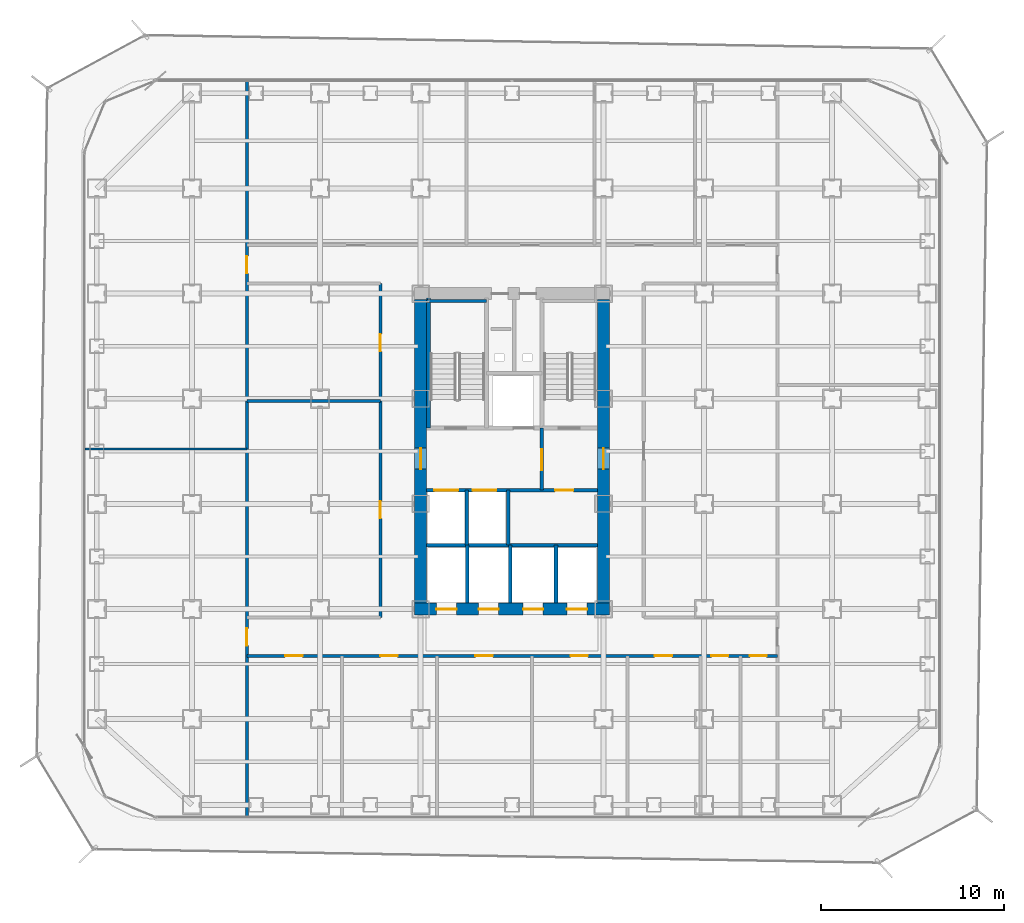
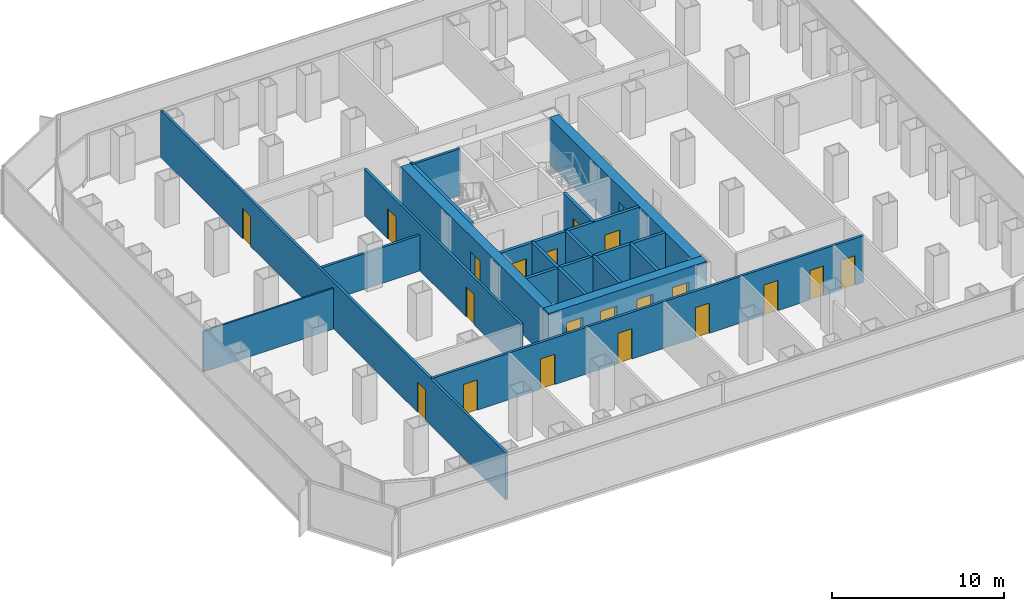
# One storey, part 17 of 22: 21 doors, 18 walls, 21 openings.
"""IFC4 building model written with IfcOpenShell, lengths in metres."""

from ifc_helpers import new_model, si_unit, direction, frame, frame_2d, origin, place, context, subcontext, project, spatial, rectangle, extrude, material, layer, layer_set, type_object, element, fill, save


model = new_model("IFC4")

# Units and contexts
model_context = context("Model", 3, precision=1e-05, world=origin(), true_north=direction((0.0, 1.0)))
body_context = subcontext(model_context, "Body", "Model", "MODEL_VIEW")
ifc_project = project(units=[si_unit("LENGTHUNIT", "METRE"), si_unit("AREAUNIT", "SQUARE_METRE"), si_unit("VOLUMEUNIT", "CUBIC_METRE"), si_unit("PLANEANGLEUNIT", "RADIAN"), si_unit("MASSUNIT", "GRAM", prefix="KILO")], contexts=[model_context])

# Site, building, storey
site_placement = place(None, origin())
site = spatial("IfcSite", under=ifc_project, at=site_placement, CompositionType="ELEMENT")
building_placement = place(site_placement, origin())
building = spatial("IfcBuilding", under=site, at=building_placement, Name="Kolveth Station Tower", CompositionType="ELEMENT")
storey_placement = place(building_placement, frame((0.0, 0.0, 54.89990234375)))
storey = spatial("IfcBuildingStorey", under=building, at=storey_placement, Name="L14", CompositionType="ELEMENT", Elevation=54.89990234375)

# Wall, openings, doors
ifc_material_1 = material(Name="Concrete C60/75", Category="concrete")
ifc_layer_1 = layer(ifc_material_1, 0.64990234375)
ifc_layer_set_1 = layer_set([ifc_layer_1], Name="Concrete C60/75")
wall_type_1 = type_object("IfcWallType", Name="Wall_CW-650", PredefinedType="SHEAR", material=ifc_layer_set_1)
wall_1_placement = place(storey_placement, frame((18.175048828125, 11.5, 0.0), z_axis=(0.0, 0.0, 1.0), x_axis=(1.0, 0.0, 0.0)))
wall_1 = element("IfcWall", 1, at=wall_1_placement, inside=storey, type_object=wall_type_1, Name="L14 Core RC Shear Wall S", PredefinedType="SHEAR", context=body_context, shape_type="SweptSolid", body=[
    extrude(rectangle(XDim=10.64990234375, YDim=0.64990234375, at=frame_2d((5.324951171875, 0.0))), origin(), (0.0, 0.0, 1.0), 3.320068359375),
])
opening_1_placement = place(wall_1_placement, frame((1.195068359375, 0.0, 0.0)))
opening_1 = element("IfcOpeningElement", 2, at=opening_1_placement, cuts=wall_1, Name="Opening LD1", PredefinedType="OPENING", context=body_context, shape_type="SweptSolid", body=[
    extrude(rectangle(XDim=1.10009765625, YDim=2.25, at=frame_2d((0.550048828125, 1.125))), frame((0.0, 0.3349609375, 0.0), z_axis=(0.0, -1.0, 0.0), x_axis=(1.0, 0.0, 0.0)), (0.0, 0.0, 1.0), 0.669921875),
])
opening_2_placement = place(wall_1_placement, frame((3.4951171875, 0.0, 0.0)))
opening_2 = element("IfcOpeningElement", 3, at=opening_2_placement, cuts=wall_1, Name="Opening LD1", PredefinedType="OPENING", context=body_context, shape_type="SweptSolid", body=[
    extrude(rectangle(XDim=1.10009765625, YDim=2.25, at=frame_2d((0.550048828125, 1.125))), frame((0.0, 0.3349609375, 0.0), z_axis=(0.0, -1.0, 0.0), x_axis=(1.0, 0.0, 0.0)), (0.0, 0.0, 1.0), 0.669921875),
])
opening_3_placement = place(wall_1_placement, frame((5.925048828125, 0.0, 0.0)))
opening_3 = element("IfcOpeningElement", 4, at=opening_3_placement, cuts=wall_1, Name="Opening LD1", PredefinedType="OPENING", context=body_context, shape_type="SweptSolid", body=[
    extrude(rectangle(XDim=1.10009765625, YDim=2.25, at=frame_2d((0.550048828125, 1.125))), frame((0.0, 0.3349609375, 0.0), z_axis=(0.0, -1.0, 0.0), x_axis=(1.0, 0.0, 0.0)), (0.0, 0.0, 1.0), 0.669921875),
])
opening_4_placement = place(wall_1_placement, frame((8.324951171875, 0.0, 0.0)))
opening_4 = element("IfcOpeningElement", 5, at=opening_4_placement, cuts=wall_1, Name="Opening LD1", PredefinedType="OPENING", context=body_context, shape_type="SweptSolid", body=[
    extrude(rectangle(XDim=1.10009765625, YDim=2.25, at=frame_2d((0.550048828125, 1.125))), frame((0.0, 0.3349609375, 0.0), z_axis=(0.0, -1.0, 0.0), x_axis=(1.0, 0.0, 0.0)), (0.0, 0.0, 1.0), 0.669921875),
])
ifc_material_2 = material(Name="Brushed stainless steel sliding landing doors", Category="steel")
door_type_1 = type_object("IfcDoorType", Name="Door_LD1", OperationType="NOTDEFINED", PredefinedType="DOOR", material=ifc_material_2)
door_1_placement = place(opening_1_placement, frame((1.10009765625, 0.0, 0.0), z_axis=(0.0, 0.0, 1.0), x_axis=(-1.0, 0.0, 0.0)))
door_1 = element("IfcDoor", 6, at=door_1_placement, inside=storey, type_object=door_type_1, Name="L14 Lift PL1 Landing Door", OperationType="DOUBLE_DOOR_SLIDING", OverallHeight=2.25, OverallWidth=1.10009765625, PredefinedType="DOOR", context=body_context, shape_type="SweptSolid", body=[
    extrude(rectangle(XDim=1.10009765625, YDim=2.25, at=frame_2d((0.550048828125, 1.125))), frame((0.0, 0.02490234375, 0.0), z_axis=(0.0, -1.0, 0.0), x_axis=(1.0, 0.0, 0.0)), (0.0, 0.0, 1.0), 0.050048828125),
])
fill(opening_1, door_1)
door_2_placement = place(opening_2_placement, frame((1.10009765625, 0.0, 0.0), z_axis=(0.0, 0.0, 1.0), x_axis=(-1.0, 0.0, 0.0)))
door_2 = element("IfcDoor", 7, at=door_2_placement, inside=storey, type_object=door_type_1, Name="L14 Lift PL2 Landing Door", OperationType="DOUBLE_DOOR_SLIDING", OverallHeight=2.25, OverallWidth=1.10009765625, PredefinedType="DOOR", context=body_context, shape_type="SweptSolid", body=[
    extrude(rectangle(XDim=1.10009765625, YDim=2.25, at=frame_2d((0.550048828125, 1.125))), frame((0.0, 0.02490234375, 0.0), z_axis=(0.0, -1.0, 0.0), x_axis=(1.0, 0.0, 0.0)), (0.0, 0.0, 1.0), 0.050048828125),
])
fill(opening_2, door_2)
door_3_placement = place(opening_3_placement, frame((1.10009765625, 0.0, 0.0), z_axis=(0.0, 0.0, 1.0), x_axis=(-1.0, 0.0, 0.0)))
door_3 = element("IfcDoor", 8, at=door_3_placement, inside=storey, type_object=door_type_1, Name="L14 Lift PM1 Landing Door", OperationType="DOUBLE_DOOR_SLIDING", OverallHeight=2.25, OverallWidth=1.10009765625, PredefinedType="DOOR", context=body_context, shape_type="SweptSolid", body=[
    extrude(rectangle(XDim=1.10009765625, YDim=2.25, at=frame_2d((0.550048828125, 1.125))), frame((0.0, 0.02490234375, 0.0), z_axis=(0.0, -1.0, 0.0), x_axis=(1.0, 0.0, 0.0)), (0.0, 0.0, 1.0), 0.050048828125),
])
fill(opening_3, door_3)
door_4_placement = place(opening_4_placement, frame((1.10009765625, 0.0, 0.0), z_axis=(0.0, 0.0, 1.0), x_axis=(-1.0, 0.0, 0.0)))
door_4 = element("IfcDoor", 9, at=door_4_placement, inside=storey, type_object=door_type_1, Name="L14 Lift PH1 Landing Door", OperationType="DOUBLE_DOOR_SLIDING", OverallHeight=2.25, OverallWidth=1.10009765625, PredefinedType="DOOR", context=body_context, shape_type="SweptSolid", body=[
    extrude(rectangle(XDim=1.10009765625, YDim=2.25, at=frame_2d((0.550048828125, 1.125))), frame((0.0, 0.02490234375, 0.0), z_axis=(0.0, -1.0, 0.0), x_axis=(1.0, 0.0, 0.0)), (0.0, 0.0, 1.0), 0.050048828125),
])
fill(opening_4, door_4)

# Wall, opening, door
wall_2_placement = place(storey_placement, frame((18.5, 11.824951171875, 0.0), z_axis=(0.0, 0.0, 1.0), x_axis=(0.0, 1.0, 0.0)))
wall_2 = element("IfcWall", 10, at=wall_2_placement, inside=storey, type_object=wall_type_1, Name="L14 Core RC Shear Wall W", PredefinedType="SHEAR", context=body_context, shape_type="SweptSolid", body=[
    extrude(rectangle(XDim=16.60009765625, YDim=0.64990234375, at=frame_2d((8.300048828125, 0.0))), origin(), (0.0, 0.0, 1.0), 3.320068359375),
])
opening_5_placement = place(wall_2_placement, frame((7.324951171875, 0.0, 0.0)))
opening_5 = element("IfcOpeningElement", 11, at=opening_5_placement, cuts=wall_2, Name="Opening FD1", PredefinedType="OPENING", context=body_context, shape_type="SweptSolid", body=[
    extrude(rectangle(XDim=1.14990234375, YDim=2.199951171875, at=frame_2d((0.574951171875, 1.10009765625))), frame((0.0, 0.3349609375, 0.0), z_axis=(0.0, -1.0, 0.0), x_axis=(1.0, 0.0, 0.0)), (0.0, 0.0, 1.0), 0.669921875),
])
ifc_material_3 = material(Name="Fire-rated Steel S355 leaf and frame", Category="steel")
door_type_2 = type_object("IfcDoorType", Name="Door_FD1", OperationType="NOTDEFINED", PredefinedType="DOOR", material=ifc_material_3)
door_5_placement = place(opening_5_placement, frame((1.14990234375, 0.0, 0.0), z_axis=(0.0, 0.0, 1.0), x_axis=(-1.0, 0.0, 0.0)))
door_5 = element("IfcDoor", 12, at=door_5_placement, inside=storey, type_object=door_type_2, Name="L14 West Corridor to Firefighting Lobby Door", OperationType="SINGLE_SWING_LEFT", OverallHeight=2.199951171875, OverallWidth=1.14990234375, PredefinedType="DOOR", context=body_context, shape_type="SweptSolid", body=[
    extrude(rectangle(XDim=1.14990234375, YDim=2.199951171875, at=frame_2d((0.574951171875, 1.10009765625))), frame((0.0, 0.02490234375, 0.0), z_axis=(0.0, -1.0, 0.0), x_axis=(1.0, 0.0, 0.0)), (0.0, 0.0, 1.0), 0.050048828125),
])
fill(opening_5, door_5)

wall_3_placement = place(storey_placement, frame((28.5, 11.824951171875, 0.0), z_axis=(0.0, 0.0, 1.0), x_axis=(0.0, 1.0, 0.0)))
wall_3 = element("IfcWall", 13, at=wall_3_placement, inside=storey, type_object=wall_type_1, Name="L14 Core RC Shear Wall E", PredefinedType="SHEAR", context=body_context, shape_type="SweptSolid", body=[
    extrude(rectangle(XDim=16.60009765625, YDim=0.64990234375, at=frame_2d((8.300048828125, 0.0))), origin(), (0.0, 0.0, 1.0), 3.320068359375),
])
opening_6_placement = place(wall_3_placement, frame((7.324951171875, 0.0, 0.0)))
opening_6 = element("IfcOpeningElement", 14, at=opening_6_placement, cuts=wall_3, Name="Opening FD1", PredefinedType="OPENING", context=body_context, shape_type="SweptSolid", body=[
    extrude(rectangle(XDim=1.14990234375, YDim=2.199951171875, at=frame_2d((0.574951171875, 1.10009765625))), frame((0.0, 0.3349609375, 0.0), z_axis=(0.0, -1.0, 0.0), x_axis=(1.0, 0.0, 0.0)), (0.0, 0.0, 1.0), 0.669921875),
])
door_6_placement = place(opening_6_placement, origin())
door_6 = element("IfcDoor", 15, at=door_6_placement, inside=storey, type_object=door_type_2, Name="L14 East Corridor to Stair Lobby Door", OperationType="SINGLE_SWING_RIGHT", OverallHeight=2.199951171875, OverallWidth=1.14990234375, PredefinedType="DOOR", context=body_context, shape_type="SweptSolid", body=[
    extrude(rectangle(XDim=1.14990234375, YDim=2.199951171875, at=frame_2d((0.574951171875, 1.10009765625))), frame((0.0, 0.02490234375, 0.0), z_axis=(0.0, -1.0, 0.0), x_axis=(1.0, 0.0, 0.0)), (0.0, 0.0, 1.0), 0.050048828125),
])
fill(opening_6, door_6)

# Walls
ifc_material_4 = material(Name="Framed gypsum partition")
ifc_layer_2 = layer(ifc_material_4, 0.114990234375)
ifc_layer_set_2 = layer_set([ifc_layer_2], Name="Framed gypsum partition")
wall_type_2 = type_object("IfcWallType", Name="Wall_IW-115", PredefinedType="PARTITIONING", material=ifc_layer_set_2)
wall_4_placement = place(storey_placement, frame((0.159912109375, 20.25, 0.0), z_axis=(0.0, 0.0, 1.0), x_axis=(1.0, 0.0, 0.0)))
element("IfcWall", 16, at=wall_4_placement, inside=storey, type_object=wall_type_2, Name="L14 Partition Wall WL-L14-OWM", PredefinedType="PARTITIONING", context=body_context, shape_type="SweptSolid", body=[
    extrude(rectangle(XDim=8.840087890625, YDim=0.114990234375, at=frame_2d((4.419921875, 0.0))), origin(), (0.0, 0.0, 1.0), 2.898193359375),
])
ifc_material_5 = material(Name="Acoustic double-stud gypsum partition")
ifc_layer_3 = layer(ifc_material_5, 0.1650390625)
ifc_layer_set_3 = layer_set([ifc_layer_3], Name="Acoustic double-stud gypsum partition")
wall_type_3 = type_object("IfcWallType", Name="Wall_IW-165", PredefinedType="PARTITIONING", material=ifc_layer_set_3)
wall_5_placement = place(storey_placement, frame((18.8349609375, 28.3349609375, 0.0), z_axis=(0.0, 0.0, 1.0), x_axis=(1.0, 0.0, 0.0)))
element("IfcWall", 17, at=wall_5_placement, inside=storey, type_object=wall_type_3, Name="L14 Stair Shaft Wall WL-L14-ST1-N", PredefinedType="PARTITIONING", context=body_context, shape_type="SweptSolid", body=[
    extrude(rectangle(XDim=3.275146484375, YDim=0.1650390625, at=frame_2d((1.6376953125, 0.0))), origin(), (0.0, 0.0, 1.0), 3.320068359375),
])

# Wall, openings, doors
wall_6_placement = place(storey_placement, frame((9.0, 8.949951171875, 0.0), z_axis=(0.0, 0.0, 1.0), x_axis=(1.0, 0.0, 0.0)))
wall_6 = element("IfcWall", 18, at=wall_6_placement, inside=storey, type_object=wall_type_3, Name="L14 Partition Wall WL-L14-OS", PredefinedType="PARTITIONING", context=body_context, shape_type="SweptSolid", body=[
    extrude(rectangle(XDim=29.0, YDim=0.1650390625, at=frame_2d((14.5, 0.0))), origin(), (0.0, 0.0, 1.0), 3.320068359375),
])
opening_7_placement = place(wall_6_placement, frame((2.10009765625, 0.0, 0.0)))
opening_7 = element("IfcOpeningElement", 19, at=opening_7_placement, cuts=wall_6, Name="Opening ID1", PredefinedType="OPENING", context=body_context, shape_type="SweptSolid", body=[
    extrude(rectangle(XDim=0.949951171875, YDim=2.14990234375, at=frame_2d((0.47509765625, 1.074951171875))), frame((0.0, 0.092529296875, 0.0), z_axis=(0.0, -1.0, 0.0), x_axis=(1.0, 0.0, 0.0)), (0.0, 0.0, 1.0), 0.18505859375),
])
opening_8_placement = place(wall_6_placement, frame((7.300048828125, 0.0, 0.0)))
opening_8 = element("IfcOpeningElement", 20, at=opening_8_placement, cuts=wall_6, Name="Opening ID1", PredefinedType="OPENING", context=body_context, shape_type="SweptSolid", body=[
    extrude(rectangle(XDim=0.949951171875, YDim=2.14990234375, at=frame_2d((0.47509765625, 1.074951171875))), frame((0.0, 0.092529296875, 0.0), z_axis=(0.0, -1.0, 0.0), x_axis=(1.0, 0.0, 0.0)), (0.0, 0.0, 1.0), 0.18505859375),
])
opening_9_placement = place(wall_6_placement, frame((12.5, 0.0, 0.0)))
opening_9 = element("IfcOpeningElement", 21, at=opening_9_placement, cuts=wall_6, Name="Opening ID1", PredefinedType="OPENING", context=body_context, shape_type="SweptSolid", body=[
    extrude(rectangle(XDim=0.949951171875, YDim=2.14990234375, at=frame_2d((0.47509765625, 1.074951171875))), frame((0.0, 0.092529296875, 0.0), z_axis=(0.0, -1.0, 0.0), x_axis=(1.0, 0.0, 0.0)), (0.0, 0.0, 1.0), 0.18505859375),
])
opening_10_placement = place(wall_6_placement, frame((17.699951171875, 0.0, 0.0)))
opening_10 = element("IfcOpeningElement", 22, at=opening_10_placement, cuts=wall_6, Name="Opening ID1", PredefinedType="OPENING", context=body_context, shape_type="SweptSolid", body=[
    extrude(rectangle(XDim=0.949951171875, YDim=2.14990234375, at=frame_2d((0.47509765625, 1.074951171875))), frame((0.0, 0.092529296875, 0.0), z_axis=(0.0, -1.0, 0.0), x_axis=(1.0, 0.0, 0.0)), (0.0, 0.0, 1.0), 0.18505859375),
])
opening_11_placement = place(wall_6_placement, frame((22.300048828125, 0.0, 0.0)))
opening_11 = element("IfcOpeningElement", 23, at=opening_11_placement, cuts=wall_6, Name="Opening ID1", PredefinedType="OPENING", context=body_context, shape_type="SweptSolid", body=[
    extrude(rectangle(XDim=0.949951171875, YDim=2.14990234375, at=frame_2d((0.47509765625, 1.074951171875))), frame((0.0, 0.092529296875, 0.0), z_axis=(0.0, -1.0, 0.0), x_axis=(1.0, 0.0, 0.0)), (0.0, 0.0, 1.0), 0.18505859375),
])
opening_12_placement = place(wall_6_placement, frame((25.39990234375, 0.0, 0.0)))
opening_12 = element("IfcOpeningElement", 24, at=opening_12_placement, cuts=wall_6, Name="Opening ID2", PredefinedType="OPENING", context=body_context, shape_type="SweptSolid", body=[
    extrude(rectangle(XDim=0.919921875, YDim=2.10009765625, at=frame_2d((0.4599609375, 1.050048828125))), frame((0.0, 0.092529296875, 0.0), z_axis=(0.0, -1.0, 0.0), x_axis=(1.0, 0.0, 0.0)), (0.0, 0.0, 1.0), 0.18505859375),
])
opening_13_placement = place(wall_6_placement, frame((27.5, 0.0, 0.0)))
opening_13 = element("IfcOpeningElement", 25, at=opening_13_placement, cuts=wall_6, Name="Opening ID2", PredefinedType="OPENING", context=body_context, shape_type="SweptSolid", body=[
    extrude(rectangle(XDim=0.919921875, YDim=2.10009765625, at=frame_2d((0.4599609375, 1.050048828125))), frame((0.0, 0.092529296875, 0.0), z_axis=(0.0, -1.0, 0.0), x_axis=(1.0, 0.0, 0.0)), (0.0, 0.0, 1.0), 0.18505859375),
])
ifc_material_6 = material(Name="Acoustic hardwood leaf and aluminium frame", Category="wood")
door_type_3 = type_object("IfcDoorType", Name="Door_ID1", OperationType="NOTDEFINED", PredefinedType="DOOR", material=ifc_material_6)
door_7_placement = place(opening_7_placement, frame((0.949951171875, 0.0, 0.0), z_axis=(0.0, 0.0, 1.0), x_axis=(-1.0, 0.0, 0.0)))
door_7 = element("IfcDoor", 26, at=door_7_placement, inside=storey, type_object=door_type_3, Name="L14 Cellular Office 1 Door", OperationType="SINGLE_SWING_LEFT", OverallHeight=2.14990234375, OverallWidth=0.949951171875, PredefinedType="DOOR", context=body_context, shape_type="SweptSolid", body=[
    extrude(rectangle(XDim=0.949951171875, YDim=2.14990234375, at=frame_2d((0.47509765625, 1.074951171875))), frame((0.0, 0.02490234375, 0.0), z_axis=(0.0, -1.0, 0.0), x_axis=(1.0, 0.0, 0.0)), (0.0, 0.0, 1.0), 0.050048828125),
])
fill(opening_7, door_7)
door_8_placement = place(opening_8_placement, frame((0.949951171875, 0.0, 0.0), z_axis=(0.0, 0.0, 1.0), x_axis=(-1.0, 0.0, 0.0)))
door_8 = element("IfcDoor", 27, at=door_8_placement, inside=storey, type_object=door_type_3, Name="L14 Cellular Office 2 Door", OperationType="SINGLE_SWING_RIGHT", OverallHeight=2.14990234375, OverallWidth=0.949951171875, PredefinedType="DOOR", context=body_context, shape_type="SweptSolid", body=[
    extrude(rectangle(XDim=0.949951171875, YDim=2.14990234375, at=frame_2d((0.47509765625, 1.074951171875))), frame((0.0, 0.02490234375, 0.0), z_axis=(0.0, -1.0, 0.0), x_axis=(1.0, 0.0, 0.0)), (0.0, 0.0, 1.0), 0.050048828125),
])
fill(opening_8, door_8)
door_9_placement = place(opening_9_placement, frame((0.949951171875, 0.0, 0.0), z_axis=(0.0, 0.0, 1.0), x_axis=(-1.0, 0.0, 0.0)))
door_9 = element("IfcDoor", 28, at=door_9_placement, inside=storey, type_object=door_type_3, Name="L14 Meeting Room 1 Door", OperationType="SINGLE_SWING_LEFT", OverallHeight=2.14990234375, OverallWidth=0.949951171875, PredefinedType="DOOR", context=body_context, shape_type="SweptSolid", body=[
    extrude(rectangle(XDim=0.949951171875, YDim=2.14990234375, at=frame_2d((0.47509765625, 1.074951171875))), frame((0.0, 0.02490234375, 0.0), z_axis=(0.0, -1.0, 0.0), x_axis=(1.0, 0.0, 0.0)), (0.0, 0.0, 1.0), 0.050048828125),
])
fill(opening_9, door_9)
door_10_placement = place(opening_10_placement, frame((0.949951171875, 0.0, 0.0), z_axis=(0.0, 0.0, 1.0), x_axis=(-1.0, 0.0, 0.0)))
door_10 = element("IfcDoor", 29, at=door_10_placement, inside=storey, type_object=door_type_3, Name="L14 Meeting Room 2 Door", OperationType="SINGLE_SWING_RIGHT", OverallHeight=2.14990234375, OverallWidth=0.949951171875, PredefinedType="DOOR", context=body_context, shape_type="SweptSolid", body=[
    extrude(rectangle(XDim=0.949951171875, YDim=2.14990234375, at=frame_2d((0.47509765625, 1.074951171875))), frame((0.0, 0.02490234375, 0.0), z_axis=(0.0, -1.0, 0.0), x_axis=(1.0, 0.0, 0.0)), (0.0, 0.0, 1.0), 0.050048828125),
])
fill(opening_10, door_10)
door_11_placement = place(opening_11_placement, frame((0.949951171875, 0.0, 0.0), z_axis=(0.0, 0.0, 1.0), x_axis=(-1.0, 0.0, 0.0)))
door_11 = element("IfcDoor", 30, at=door_11_placement, inside=storey, type_object=door_type_3, Name="L14 Meeting Room 3 Door", OperationType="SINGLE_SWING_LEFT", OverallHeight=2.14990234375, OverallWidth=0.949951171875, PredefinedType="DOOR", context=body_context, shape_type="SweptSolid", body=[
    extrude(rectangle(XDim=0.949951171875, YDim=2.14990234375, at=frame_2d((0.47509765625, 1.074951171875))), frame((0.0, 0.02490234375, 0.0), z_axis=(0.0, -1.0, 0.0), x_axis=(1.0, 0.0, 0.0)), (0.0, 0.0, 1.0), 0.050048828125),
])
fill(opening_11, door_11)
ifc_material_7 = material(Name="Moisture-resistant hardwood leaf", Category="wood")
door_type_4 = type_object("IfcDoorType", Name="Door_ID2", OperationType="NOTDEFINED", PredefinedType="DOOR", material=ifc_material_7)
door_12_placement = place(opening_12_placement, frame((0.919921875, 0.0, 0.0), z_axis=(0.0, 0.0, 1.0), x_axis=(-1.0, 0.0, 0.0)))
door_12 = element("IfcDoor", 31, at=door_12_placement, inside=storey, type_object=door_type_4, Name="L14 Staff WC Door", OperationType="SINGLE_SWING_RIGHT", OverallHeight=2.10009765625, OverallWidth=0.919921875, PredefinedType="DOOR", context=body_context, shape_type="SweptSolid", body=[
    extrude(rectangle(XDim=0.919921875, YDim=2.10009765625, at=frame_2d((0.4599609375, 1.050048828125))), frame((0.0, 0.02490234375, 0.0), z_axis=(0.0, -1.0, 0.0), x_axis=(1.0, 0.0, 0.0)), (0.0, 0.0, 1.0), 0.050048828125),
])
fill(opening_12, door_12)
door_13_placement = place(opening_13_placement, frame((0.919921875, 0.0, 0.0), z_axis=(0.0, 0.0, 1.0), x_axis=(-1.0, 0.0, 0.0)))
door_13 = element("IfcDoor", 32, at=door_13_placement, inside=storey, type_object=door_type_4, Name="L14 Accessible WC Door", OperationType="SINGLE_SWING_LEFT", OverallHeight=2.10009765625, OverallWidth=0.919921875, PredefinedType="DOOR", context=body_context, shape_type="SweptSolid", body=[
    extrude(rectangle(XDim=0.919921875, YDim=2.10009765625, at=frame_2d((0.4599609375, 1.050048828125))), frame((0.0, 0.02490234375, 0.0), z_axis=(0.0, -1.0, 0.0), x_axis=(1.0, 0.0, 0.0)), (0.0, 0.0, 1.0), 0.050048828125),
])
fill(opening_13, door_13)

wall_7_placement = place(storey_placement, frame((16.300048828125, 11.050048828125, 0.0), z_axis=(0.0, 0.0, 1.0), x_axis=(0.0, 1.0, 0.0)))
wall_7 = element("IfcWall", 33, at=wall_7_placement, inside=storey, type_object=wall_type_3, Name="L14 Partition Wall WL-L14-OCW", PredefinedType="PARTITIONING", context=body_context, shape_type="SweptSolid", body=[
    extrude(rectangle(XDim=18.25, YDim=0.1650390625, at=frame_2d((9.125, 0.0))), origin(), (0.0, 0.0, 1.0), 3.320068359375),
])
opening_14_placement = place(wall_7_placement, frame((5.408935546875, 0.0, 0.0)))
opening_14 = element("IfcOpeningElement", 34, at=opening_14_placement, cuts=wall_7, Name="Opening ID1", PredefinedType="OPENING", context=body_context, shape_type="SweptSolid", body=[
    extrude(rectangle(XDim=0.949951171875, YDim=2.14990234375, at=frame_2d((0.47509765625, 1.074951171875))), frame((0.0, 0.092529296875, 0.0), z_axis=(0.0, -1.0, 0.0), x_axis=(1.0, 0.0, 0.0)), (0.0, 0.0, 1.0), 0.18505859375),
])
opening_15_placement = place(wall_7_placement, frame((14.533935546875, 0.0, 0.0)))
opening_15 = element("IfcOpeningElement", 35, at=opening_15_placement, cuts=wall_7, Name="Opening ID1", PredefinedType="OPENING", context=body_context, shape_type="SweptSolid", body=[
    extrude(rectangle(XDim=0.949951171875, YDim=2.14990234375, at=frame_2d((0.47509765625, 1.074951171875))), frame((0.0, 0.092529296875, 0.0), z_axis=(0.0, -1.0, 0.0), x_axis=(1.0, 0.0, 0.0)), (0.0, 0.0, 1.0), 0.18505859375),
])
door_14_placement = place(opening_14_placement, frame((0.949951171875, 0.0, 0.0), z_axis=(0.0, 0.0, 1.0), x_axis=(-1.0, 0.0, 0.0)))
door_14 = element("IfcDoor", 36, at=door_14_placement, inside=storey, type_object=door_type_3, Name="L14 Internal Meeting Room W1 Door", OperationType="SINGLE_SWING_RIGHT", OverallHeight=2.14990234375, OverallWidth=0.949951171875, PredefinedType="DOOR", context=body_context, shape_type="SweptSolid", body=[
    extrude(rectangle(XDim=0.949951171875, YDim=2.14990234375, at=frame_2d((0.47509765625, 1.074951171875))), frame((0.0, 0.02490234375, 0.0), z_axis=(0.0, -1.0, 0.0), x_axis=(1.0, 0.0, 0.0)), (0.0, 0.0, 1.0), 0.050048828125),
])
fill(opening_14, door_14)
door_15_placement = place(opening_15_placement, frame((0.949951171875, 0.0, 0.0), z_axis=(0.0, 0.0, 1.0), x_axis=(-1.0, 0.0, 0.0)))
door_15 = element("IfcDoor", 37, at=door_15_placement, inside=storey, type_object=door_type_3, Name="L14 Print and Archive Room Door", OperationType="SINGLE_SWING_LEFT", OverallHeight=2.14990234375, OverallWidth=0.949951171875, PredefinedType="DOOR", context=body_context, shape_type="SweptSolid", body=[
    extrude(rectangle(XDim=0.949951171875, YDim=2.14990234375, at=frame_2d((0.47509765625, 1.074951171875))), frame((0.0, 0.02490234375, 0.0), z_axis=(0.0, -1.0, 0.0), x_axis=(1.0, 0.0, 0.0)), (0.0, 0.0, 1.0), 0.050048828125),
])
fill(opening_15, door_15)

wall_8_placement = place(storey_placement, frame((9.0, 0.159912109375, 0.0), z_axis=(0.0, 0.0, 1.0), x_axis=(0.0, 1.0, 0.0)))
wall_8 = element("IfcWall", 38, at=wall_8_placement, inside=storey, type_object=wall_type_3, Name="L14 Partition Wall WL-L14-OWEND", PredefinedType="PARTITIONING", context=body_context, shape_type="SweptSolid", body=[
    extrude(rectangle(XDim=40.18017578125, YDim=0.1650390625, at=frame_2d((20.090087890625, 0.0))), origin(), (0.0, 0.0, 1.0), 3.320068359375),
])
opening_16_placement = place(wall_8_placement, frame((9.340087890625, 0.0, 0.0)))
opening_16 = element("IfcOpeningElement", 39, at=opening_16_placement, cuts=wall_8, Name="Opening ID1", PredefinedType="OPENING", context=body_context, shape_type="SweptSolid", body=[
    extrude(rectangle(XDim=0.949951171875, YDim=2.14990234375, at=frame_2d((0.47509765625, 1.074951171875))), frame((0.0, 0.092529296875, 0.0), z_axis=(0.0, -1.0, 0.0), x_axis=(1.0, 0.0, 0.0)), (0.0, 0.0, 1.0), 0.18505859375),
])
opening_17_placement = place(wall_8_placement, frame((29.68994140625, 0.0, 0.0)))
opening_17 = element("IfcOpeningElement", 40, at=opening_17_placement, cuts=wall_8, Name="Opening ID1", PredefinedType="OPENING", context=body_context, shape_type="SweptSolid", body=[
    extrude(rectangle(XDim=0.949951171875, YDim=2.14990234375, at=frame_2d((0.47509765625, 1.074951171875))), frame((0.0, 0.092529296875, 0.0), z_axis=(0.0, -1.0, 0.0), x_axis=(1.0, 0.0, 0.0)), (0.0, 0.0, 1.0), 0.18505859375),
])
door_16_placement = place(opening_16_placement, frame((0.949951171875, 0.0, 0.0), z_axis=(0.0, 0.0, 1.0), x_axis=(-1.0, 0.0, 0.0)))
door_16 = element("IfcDoor", 41, at=door_16_placement, inside=storey, type_object=door_type_3, Name="L14 West-South Wing Door", OperationType="SINGLE_SWING_RIGHT", OverallHeight=2.14990234375, OverallWidth=0.949951171875, PredefinedType="DOOR", context=body_context, shape_type="SweptSolid", body=[
    extrude(rectangle(XDim=0.949951171875, YDim=2.14990234375, at=frame_2d((0.47509765625, 1.074951171875))), frame((0.0, 0.02490234375, 0.0), z_axis=(0.0, -1.0, 0.0), x_axis=(1.0, 0.0, 0.0)), (0.0, 0.0, 1.0), 0.050048828125),
])
fill(opening_16, door_16)
door_17_placement = place(opening_17_placement, frame((0.949951171875, 0.0, 0.0), z_axis=(0.0, 0.0, 1.0), x_axis=(-1.0, 0.0, 0.0)))
door_17 = element("IfcDoor", 42, at=door_17_placement, inside=storey, type_object=door_type_3, Name="L14 West-North Wing Door", OperationType="SINGLE_SWING_LEFT", OverallHeight=2.14990234375, OverallWidth=0.949951171875, PredefinedType="DOOR", context=body_context, shape_type="SweptSolid", body=[
    extrude(rectangle(XDim=0.949951171875, YDim=2.14990234375, at=frame_2d((0.47509765625, 1.074951171875))), frame((0.0, 0.02490234375, 0.0), z_axis=(0.0, -1.0, 0.0), x_axis=(1.0, 0.0, 0.0)), (0.0, 0.0, 1.0), 0.050048828125),
])
fill(opening_17, door_17)

# Wall
wall_9_placement = place(storey_placement, frame((9.0, 22.868896484375, 0.0), z_axis=(0.0, 0.0, 1.0), x_axis=(1.0, 0.0, 0.0)))
element("IfcWall", 43, at=wall_9_placement, inside=storey, type_object=wall_type_3, Name="L14 Partition Wall WL-L14-OIW-P1", PredefinedType="PARTITIONING", context=body_context, shape_type="SweptSolid", body=[
    extrude(rectangle(XDim=7.300048828125, YDim=0.1650390625, at=frame_2d((3.64990234375, 0.0))), origin(), (0.0, 0.0, 1.0), 2.5390625),
])

# Wall, opening, door
ifc_material_8 = material(Name="Acoustic fire-rated gypsum blockwork", Category="masonry")
ifc_layer_4 = layer(ifc_material_8, 0.199951171875)
ifc_layer_set_4 = layer_set([ifc_layer_4], Name="Acoustic fire-rated gypsum blockwork")
wall_type_4 = type_object("IfcWallType", Name="Wall_IW-200", PredefinedType="PARTITIONING", material=ifc_layer_set_4)
wall_10_placement = place(storey_placement, frame((25.1298828125, 18.0, 0.0), z_axis=(0.0, 0.0, 1.0), x_axis=(0.0, 1.0, 0.0)))
wall_10 = element("IfcWall", 44, at=wall_10_placement, inside=storey, type_object=wall_type_4, Name="L14 Partition Wall WL-L14-FFL-E", PredefinedType="PARTITIONING", context=body_context, shape_type="SweptSolid", body=[
    extrude(rectangle(XDim=3.389892578125, YDim=0.199951171875, at=frame_2d((1.69482421875, 0.0))), origin(), (0.0, 0.0, 1.0), 3.320068359375),
])
opening_18_placement = place(wall_10_placement, frame((1.10009765625, 0.0, 0.0)))
opening_18 = element("IfcOpeningElement", 45, at=opening_18_placement, cuts=wall_10, Name="Opening FD1", PredefinedType="OPENING", context=body_context, shape_type="SweptSolid", body=[
    extrude(rectangle(XDim=1.14990234375, YDim=2.199951171875, at=frame_2d((0.574951171875, 1.10009765625))), frame((0.0, 0.10986328125, 0.0), z_axis=(0.0, -1.0, 0.0), x_axis=(1.0, 0.0, 0.0)), (0.0, 0.0, 1.0), 0.219970703125),
])
door_18_placement = place(opening_18_placement, origin())
door_18 = element("IfcDoor", 46, at=door_18_placement, inside=storey, type_object=door_type_2, Name="L14 Firefighting to Stair Lobby Door", OperationType="SINGLE_SWING_LEFT", OverallHeight=2.199951171875, OverallWidth=1.14990234375, PredefinedType="DOOR", context=body_context, shape_type="SweptSolid", body=[
    extrude(rectangle(XDim=1.14990234375, YDim=2.199951171875, at=frame_2d((0.574951171875, 1.10009765625))), frame((0.0, 0.02490234375, 0.0), z_axis=(0.0, -1.0, 0.0), x_axis=(1.0, 0.0, 0.0)), (0.0, 0.0, 1.0), 0.050048828125),
])
fill(opening_18, door_18)

# Wall, openings, doors
wall_11_placement = place(storey_placement, frame((18.8349609375, 18.0, 0.0), z_axis=(0.0, 0.0, 1.0), x_axis=(1.0, 0.0, 0.0)))
wall_11 = element("IfcWall", 47, at=wall_11_placement, inside=storey, type_object=wall_type_4, Name="L14 Partition Wall WL-L14-FFL-S", PredefinedType="PARTITIONING", context=body_context, shape_type="SweptSolid", body=[
    extrude(rectangle(XDim=9.330078125, YDim=0.199951171875, at=frame_2d((4.6650390625, 0.0))), origin(), (0.0, 0.0, 1.0), 3.320068359375),
])
opening_19_placement = place(wall_11_placement, frame((0.4150390625, 0.0, 0.0)))
opening_19 = element("IfcOpeningElement", 48, at=opening_19_placement, cuts=wall_11, Name="Opening LD2", PredefinedType="OPENING", context=body_context, shape_type="SweptSolid", body=[
    extrude(rectangle(XDim=1.300048828125, YDim=2.300048828125, at=frame_2d((0.64990234375, 1.14990234375))), frame((0.0, 0.10986328125, 0.0), z_axis=(0.0, -1.0, 0.0), x_axis=(1.0, 0.0, 0.0)), (0.0, 0.0, 1.0), 0.219970703125),
])
opening_20_placement = place(wall_11_placement, frame((2.514892578125, 0.0, 0.0)))
opening_20 = element("IfcOpeningElement", 49, at=opening_20_placement, cuts=wall_11, Name="Opening LD2", PredefinedType="OPENING", context=body_context, shape_type="SweptSolid", body=[
    extrude(rectangle(XDim=1.300048828125, YDim=2.300048828125, at=frame_2d((0.64990234375, 1.14990234375))), frame((0.0, 0.10986328125, 0.0), z_axis=(0.0, -1.0, 0.0), x_axis=(1.0, 0.0, 0.0)), (0.0, 0.0, 1.0), 0.219970703125),
])
opening_21_placement = place(wall_11_placement, frame((7.014892578125, 0.0, 0.0)))
opening_21 = element("IfcOpeningElement", 50, at=opening_21_placement, cuts=wall_11, Name="Opening FD3", PredefinedType="OPENING", context=body_context, shape_type="SweptSolid", body=[
    extrude(rectangle(XDim=1.0, YDim=2.14990234375, at=frame_2d((0.5, 1.074951171875))), frame((0.0, 0.10986328125, 0.0), z_axis=(0.0, -1.0, 0.0), x_axis=(1.0, 0.0, 0.0)), (0.0, 0.0, 1.0), 0.219970703125),
])
ifc_material_9 = material(Name="Fire-rated hardwood leaf and aluminium frame", Category="wood")
door_type_5 = type_object("IfcDoorType", Name="Door_FD3", OperationType="NOTDEFINED", PredefinedType="DOOR", material=ifc_material_9)
door_19_placement = place(opening_21_placement, frame((1.0, 0.0, 0.0), z_axis=(0.0, 0.0, 1.0), x_axis=(-1.0, 0.0, 0.0)))
door_19 = element("IfcDoor", 51, at=door_19_placement, inside=storey, type_object=door_type_5, Name="L14 Core Staff Pantry Door", OperationType="SINGLE_SWING_RIGHT", OverallHeight=2.14990234375, OverallWidth=1.0, PredefinedType="DOOR", context=body_context, shape_type="SweptSolid", body=[
    extrude(rectangle(XDim=1.0, YDim=2.14990234375, at=frame_2d((0.5, 1.074951171875))), frame((0.0, 0.02490234375, 0.0), z_axis=(0.0, -1.0, 0.0), x_axis=(1.0, 0.0, 0.0)), (0.0, 0.0, 1.0), 0.050048828125),
])
fill(opening_21, door_19)
ifc_material_10 = material(Name="Firefighting stainless steel sliding landing doors", Category="steel")
door_type_6 = type_object("IfcDoorType", Name="Door_LD2", OperationType="NOTDEFINED", PredefinedType="DOOR", material=ifc_material_10)
door_20_placement = place(opening_19_placement, origin())
door_20 = element("IfcDoor", 52, at=door_20_placement, inside=storey, type_object=door_type_6, Name="L14 Firefighting Lift FF1 Landing Door", OperationType="DOUBLE_DOOR_SLIDING", OverallHeight=2.300048828125, OverallWidth=1.300048828125, PredefinedType="DOOR", context=body_context, shape_type="SweptSolid", body=[
    extrude(rectangle(XDim=1.300048828125, YDim=2.300048828125, at=frame_2d((0.64990234375, 1.14990234375))), frame((0.0, 0.02490234375, 0.0), z_axis=(0.0, -1.0, 0.0), x_axis=(1.0, 0.0, 0.0)), (0.0, 0.0, 1.0), 0.050048828125),
])
fill(opening_19, door_20)
door_21_placement = place(opening_20_placement, origin())
door_21 = element("IfcDoor", 53, at=door_21_placement, inside=storey, type_object=door_type_6, Name="L14 Firefighting Lift FF2 Landing Door", OperationType="DOUBLE_DOOR_SLIDING", OverallHeight=2.300048828125, OverallWidth=1.300048828125, PredefinedType="DOOR", context=body_context, shape_type="SweptSolid", body=[
    extrude(rectangle(XDim=1.300048828125, YDim=2.300048828125, at=frame_2d((0.64990234375, 1.14990234375))), frame((0.0, 0.02490234375, 0.0), z_axis=(0.0, -1.0, 0.0), x_axis=(1.0, 0.0, 0.0)), (0.0, 0.0, 1.0), 0.050048828125),
])
fill(opening_20, door_21)

# Walls
for number, where, z_axis, x_axis, name in (
    (54, (21.02001953125, 15.0, 0.0), (0.0, 0.0, 1.0), (0.0, 1.0, 0.0), "L14 Partition Wall WL-L14-FF12"),
    (55, (23.300048828125, 15.0, 0.0), (0.0, 0.0, 1.0), (0.0, 1.0, 0.0), "L14 Partition Wall WL-L14-FF2E"),
):
    element("IfcWall", number, at=place(storey_placement, frame(where, z_axis=z_axis, x_axis=x_axis)), inside=storey, type_object=wall_type_4, Name=name, PredefinedType="PARTITIONING", context=body_context, shape_type="SweptSolid", body=[
        extrude(rectangle(XDim=3.0, YDim=0.199951171875, at=frame_2d((1.5, 0.0))), origin(), (0.0, 0.0, 1.0), 3.320068359375),
    ])
wall_12_placement = place(storey_placement, frame((18.8349609375, 15.0, 0.0), z_axis=(0.0, 0.0, 1.0), x_axis=(1.0, 0.0, 0.0)))
element("IfcWall", 56, at=wall_12_placement, inside=storey, type_object=wall_type_4, Name="L14 Partition Wall WL-L14-BOH-S", PredefinedType="PARTITIONING", context=body_context, shape_type="SweptSolid", body=[
    extrude(rectangle(XDim=9.330078125, YDim=0.199951171875, at=frame_2d((4.6650390625, 0.0))), origin(), (0.0, 0.0, 1.0), 3.320068359375),
])
for number, where, z_axis, x_axis, name in (
    (57, (21.050048828125, 11.8349609375, 0.0), (0.0, 0.0, 1.0), (0.0, 1.0, 0.0), "L14 Partition Wall WL-L14-PL12"),
    (58, (23.39990234375, 11.8349609375, 0.0), (0.0, 0.0, 1.0), (0.0, 1.0, 0.0), "L14 Partition Wall WL-L14-PL2E"),
    (59, (25.89990234375, 11.8349609375, 0.0), (0.0, 0.0, 1.0), (0.0, 1.0, 0.0), "L14 Partition Wall WL-L14-PMPH"),
):
    element("IfcWall", number, at=place(storey_placement, frame(where, z_axis=z_axis, x_axis=x_axis)), inside=storey, type_object=wall_type_4, Name=name, PredefinedType="PARTITIONING", context=body_context, shape_type="SweptSolid", body=[
        extrude(rectangle(XDim=3.1650390625, YDim=0.199951171875, at=frame_2d((1.58251953125, 0.0))), origin(), (0.0, 0.0, 1.0), 3.320068359375),
    ])
ifc_material_11 = material(Name="Concrete C40/50", Category="concrete")
ifc_layer_5 = layer(ifc_material_11, 0.219970703125)
ifc_layer_set_5 = layer_set([ifc_layer_5], Name="Concrete C40/50")
wall_type_5 = type_object("IfcWallType", Name="Wall_IW-220", PredefinedType="SOLIDWALL", material=ifc_layer_set_5)
wall_13_placement = place(storey_placement, frame((18.929931640625, 21.389892578125, 0.0), z_axis=(0.0, 0.0, 1.0), x_axis=(0.0, 1.0, 0.0)))
element("IfcWall", 60, at=wall_13_placement, inside=storey, type_object=wall_type_5, Name="L14 Stair Shaft Wall WL-L14-ST1-W", PredefinedType="SOLIDWALL", context=body_context, shape_type="SweptSolid", body=[
    extrude(rectangle(XDim=7.110107421875, YDim=0.219970703125, at=frame_2d((3.55517578125, 0.0))), origin(), (0.0, 0.0, 1.0), 3.320068359375),
])

save(model, "model.ifc")
